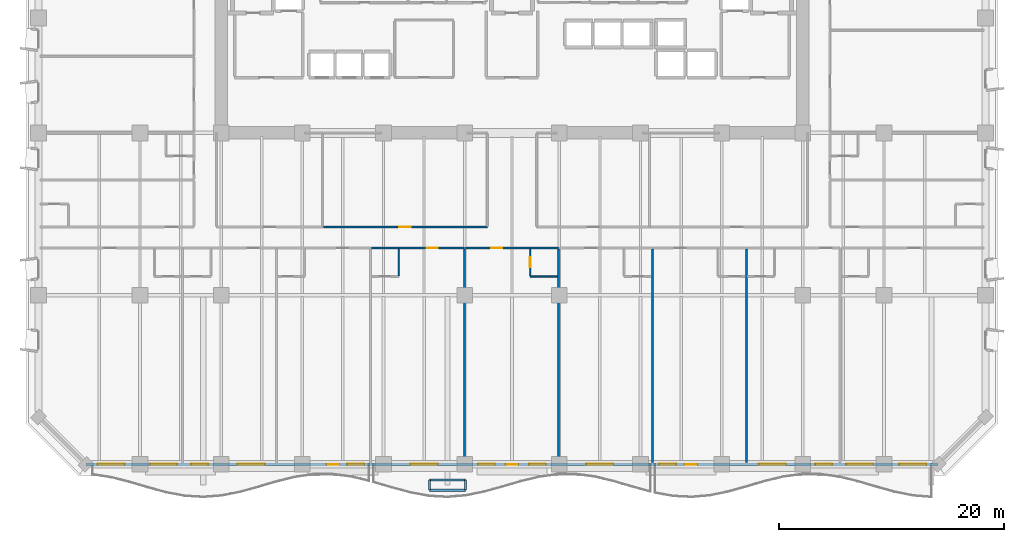
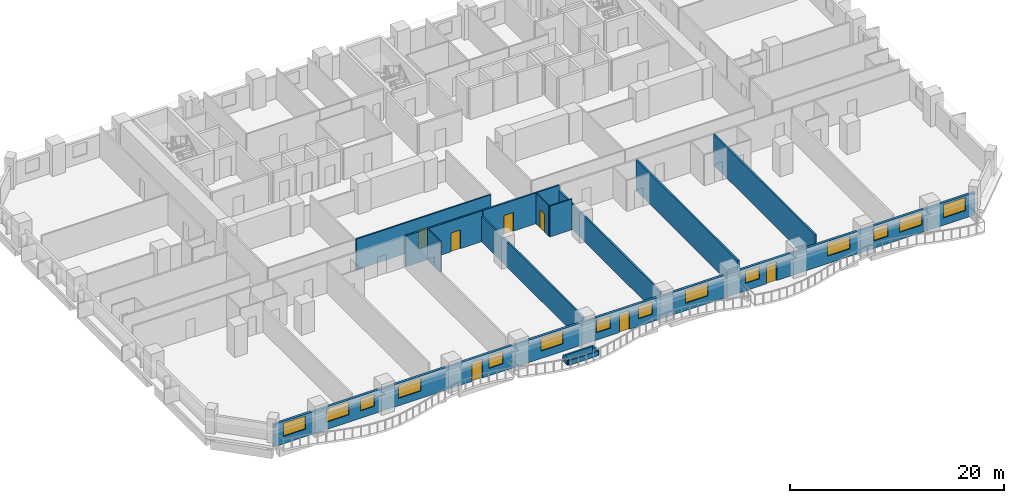
# One storey, part 5 of 15: 15 walls, 14 windows, 7 doors, 21 openings.
"""IFC4 building model written with IfcOpenShell, lengths in metres."""

from ifc_helpers import new_model, si_unit, direction, frame, frame_2d, origin, place, context, subcontext, project, spatial, rectangle, extrude, material, layer, layer_set, type_object, element, fill, save


model = new_model("IFC4")

# Units and contexts
model_context = context("Model", 3, precision=1e-05, world=origin(), true_north=direction((0.0, 1.0)))
body_context = subcontext(model_context, "Body", "Model", "MODEL_VIEW")
ifc_project = project(units=[si_unit("LENGTHUNIT", "METRE"), si_unit("AREAUNIT", "SQUARE_METRE"), si_unit("VOLUMEUNIT", "CUBIC_METRE"), si_unit("PLANEANGLEUNIT", "RADIAN"), si_unit("MASSUNIT", "GRAM", prefix="KILO")], contexts=[model_context])

# Site, building, storey
site_placement = place(None, origin())
site = spatial("IfcSite", under=ifc_project, at=site_placement, CompositionType="ELEMENT")
building_placement = place(site_placement, origin())
building = spatial("IfcBuilding", under=site, at=building_placement, Name="Kaelvorn Grand Hotel", CompositionType="ELEMENT")
storey_placement = place(building_placement, frame((0.0, 0.0, 72.64990234375)))
storey = spatial("IfcBuildingStorey", under=building, at=storey_placement, Name="L16", CompositionType="ELEMENT", Elevation=72.64990234375)

# Wall, openings, doors, windows
ifc_material_1 = material(Name="Concrete C40/50", Category="concrete")
ifc_layer_1 = layer(ifc_material_1, 0.260009765625)
ifc_layer_set_1 = layer_set([ifc_layer_1], Name="Concrete C40/50")
wall_type_1 = type_object("IfcWallType", Name="WL-EXT-260-C40", PredefinedType="SOLIDWALL", material=ifc_layer_set_1)
wall_1_placement = place(storey_placement, frame((4.199951171875, 0.0, 0.0), z_axis=(0.0, 0.0, 1.0), x_axis=(1.0, 0.0, 0.0)))
wall_1 = element("IfcWall", 1, at=wall_1_placement, inside=storey, type_object=wall_type_1, Name="L16 Exterior Architectural Concrete Wall 01", PredefinedType="SOLIDWALL", context=body_context, shape_type="SweptSolid", body=[
    extrude(rectangle(XDim=75.60009765625, YDim=0.260009765625, at=frame_2d((37.800048828125, 0.0))), origin(), (0.0, 0.0, 1.0), 2.56005859375),
])
opening_1_placement = place(wall_1_placement, frame((21.38330078125, 0.0, 0.0)))
opening_1 = element("IfcOpeningElement", 2, at=opening_1_placement, cuts=wall_1, Name="Opening DE2", PredefinedType="OPENING", context=body_context, shape_type="SweptSolid", body=[
    extrude(rectangle(XDim=1.10009765625, YDim=2.14990234375, at=frame_2d((0.550048828125, 1.074951171875))), frame((0.0, 0.14013671875, 0.0), z_axis=(0.0, -1.0, 0.0), x_axis=(1.0, 0.0, 0.0)), (0.0, 0.0, 1.0), 0.280029296875),
])
opening_2_placement = place(wall_1_placement, frame((37.25, 0.0, 0.0)))
opening_2 = element("IfcOpeningElement", 3, at=opening_2_placement, cuts=wall_1, Name="Opening DE2", PredefinedType="OPENING", context=body_context, shape_type="SweptSolid", body=[
    extrude(rectangle(XDim=1.10009765625, YDim=2.14990234375, at=frame_2d((0.550048828125, 1.074951171875))), frame((0.0, 0.14013671875, 0.0), z_axis=(0.0, -1.0, 0.0), x_axis=(1.0, 0.0, 0.0)), (0.0, 0.0, 1.0), 0.280029296875),
])
opening_3_placement = place(wall_1_placement, frame((53.11669921875, 0.0, 0.0)))
opening_3 = element("IfcOpeningElement", 4, at=opening_3_placement, cuts=wall_1, Name="Opening DE2", PredefinedType="OPENING", context=body_context, shape_type="SweptSolid", body=[
    extrude(rectangle(XDim=1.10009765625, YDim=2.14990234375, at=frame_2d((0.550048828125, 1.074951171875))), frame((0.0, 0.14013671875, 0.0), z_axis=(0.0, -1.0, 0.0), x_axis=(1.0, 0.0, 0.0)), (0.0, 0.0, 1.0), 0.280029296875),
])
opening_4_placement = place(wall_1_placement, frame((1.034912109375, 0.0, 0.85009765625)))
opening_4 = element("IfcOpeningElement", 5, at=opening_4_placement, cuts=wall_1, Name="Opening W6", PredefinedType="OPENING", context=body_context, shape_type="SweptSolid", body=[
    extrude(rectangle(XDim=2.39990234375, YDim=1.5, at=frame_2d((1.199951171875, 0.75))), frame((0.0, 0.14013671875, 0.0), z_axis=(0.0, -1.0, 0.0), x_axis=(1.0, 0.0, 0.0)), (0.0, 0.0, 1.0), 0.280029296875),
])
opening_5_placement = place(wall_1_placement, frame((5.69140625, 0.0, 0.85009765625)))
opening_5 = element("IfcOpeningElement", 6, at=opening_5_placement, cuts=wall_1, Name="Opening W6", PredefinedType="OPENING", context=body_context, shape_type="SweptSolid", body=[
    extrude(rectangle(XDim=2.39990234375, YDim=1.5, at=frame_2d((1.199951171875, 0.75))), frame((0.0, 0.14013671875, 0.0), z_axis=(0.0, -1.0, 0.0), x_axis=(1.0, 0.0, 0.0)), (0.0, 0.0, 1.0), 0.280029296875),
])
opening_6_placement = place(wall_1_placement, frame((9.341552734375, 0.0, 0.85009765625)))
opening_6 = element("IfcOpeningElement", 7, at=opening_6_placement, cuts=wall_1, Name="Opening W10", PredefinedType="OPENING", context=body_context, shape_type="SweptSolid", body=[
    extrude(rectangle(XDim=1.5, YDim=1.39990234375, at=frame_2d((0.75, 0.699951171875))), frame((0.0, 0.14013671875, 0.0), z_axis=(0.0, -1.0, 0.0), x_axis=(1.0, 0.0, 0.0)), (0.0, 0.0, 1.0), 0.280029296875),
])
opening_7_placement = place(wall_1_placement, frame((13.45849609375, 0.0, 0.85009765625)))
opening_7 = element("IfcOpeningElement", 8, at=opening_7_placement, cuts=wall_1, Name="Opening W6", PredefinedType="OPENING", context=body_context, shape_type="SweptSolid", body=[
    extrude(rectangle(XDim=2.39990234375, YDim=1.5, at=frame_2d((1.199951171875, 0.75))), frame((0.0, 0.14013671875, 0.0), z_axis=(0.0, -1.0, 0.0), x_axis=(1.0, 0.0, 0.0)), (0.0, 0.0, 1.0), 0.280029296875),
])
opening_8_placement = place(wall_1_placement, frame((23.20166015625, 0.0, 0.85009765625)))
opening_8 = element("IfcOpeningElement", 9, at=opening_8_placement, cuts=wall_1, Name="Opening W10", PredefinedType="OPENING", context=body_context, shape_type="SweptSolid", body=[
    extrude(rectangle(XDim=1.5, YDim=1.39990234375, at=frame_2d((0.75, 0.699951171875))), frame((0.0, 0.14013671875, 0.0), z_axis=(0.0, -1.0, 0.0), x_axis=(1.0, 0.0, 0.0)), (0.0, 0.0, 1.0), 0.280029296875),
])
opening_9_placement = place(wall_1_placement, frame((28.800048828125, 0.0, 0.85009765625)))
opening_9 = element("IfcOpeningElement", 10, at=opening_9_placement, cuts=wall_1, Name="Opening W6", PredefinedType="OPENING", context=body_context, shape_type="SweptSolid", body=[
    extrude(rectangle(XDim=2.39990234375, YDim=1.5, at=frame_2d((1.199951171875, 0.75))), frame((0.0, 0.14013671875, 0.0), z_axis=(0.0, -1.0, 0.0), x_axis=(1.0, 0.0, 0.0)), (0.0, 0.0, 1.0), 0.280029296875),
])
opening_10_placement = place(wall_1_placement, frame((34.7900390625, 0.0, 0.85009765625)))
opening_10 = element("IfcOpeningElement", 11, at=opening_10_placement, cuts=wall_1, Name="Opening W10", PredefinedType="OPENING", context=body_context, shape_type="SweptSolid", body=[
    extrude(rectangle(XDim=1.5, YDim=1.39990234375, at=frame_2d((0.75, 0.699951171875))), frame((0.0, 0.14013671875, 0.0), z_axis=(0.0, -1.0, 0.0), x_axis=(1.0, 0.0, 0.0)), (0.0, 0.0, 1.0), 0.280029296875),
])
opening_11_placement = place(wall_1_placement, frame((39.31005859375, 0.0, 0.85009765625)))
opening_11 = element("IfcOpeningElement", 12, at=opening_11_placement, cuts=wall_1, Name="Opening W10", PredefinedType="OPENING", context=body_context, shape_type="SweptSolid", body=[
    extrude(rectangle(XDim=1.5, YDim=1.39990234375, at=frame_2d((0.75, 0.699951171875))), frame((0.0, 0.14013671875, 0.0), z_axis=(0.0, -1.0, 0.0), x_axis=(1.0, 0.0, 0.0)), (0.0, 0.0, 1.0), 0.280029296875),
])
opening_12_placement = place(wall_1_placement, frame((44.39990234375, 0.0, 0.85009765625)))
opening_12 = element("IfcOpeningElement", 13, at=opening_12_placement, cuts=wall_1, Name="Opening W6", PredefinedType="OPENING", context=body_context, shape_type="SweptSolid", body=[
    extrude(rectangle(XDim=2.39990234375, YDim=1.5, at=frame_2d((1.199951171875, 0.75))), frame((0.0, 0.14013671875, 0.0), z_axis=(0.0, -1.0, 0.0), x_axis=(1.0, 0.0, 0.0)), (0.0, 0.0, 1.0), 0.280029296875),
])
opening_13_placement = place(wall_1_placement, frame((50.848388671875, 0.0, 0.85009765625)))
opening_13 = element("IfcOpeningElement", 14, at=opening_13_placement, cuts=wall_1, Name="Opening W10", PredefinedType="OPENING", context=body_context, shape_type="SweptSolid", body=[
    extrude(rectangle(XDim=1.5, YDim=1.39990234375, at=frame_2d((0.75, 0.699951171875))), frame((0.0, 0.14013671875, 0.0), z_axis=(0.0, -1.0, 0.0), x_axis=(1.0, 0.0, 0.0)), (0.0, 0.0, 1.0), 0.280029296875),
])
opening_14_placement = place(wall_1_placement, frame((59.69140625, 0.0, 0.85009765625)))
opening_14 = element("IfcOpeningElement", 15, at=opening_14_placement, cuts=wall_1, Name="Opening W6", PredefinedType="OPENING", context=body_context, shape_type="SweptSolid", body=[
    extrude(rectangle(XDim=2.39990234375, YDim=1.5, at=frame_2d((1.199951171875, 0.75))), frame((0.0, 0.14013671875, 0.0), z_axis=(0.0, -1.0, 0.0), x_axis=(1.0, 0.0, 0.0)), (0.0, 0.0, 1.0), 0.280029296875),
])
opening_15_placement = place(wall_1_placement, frame((64.7080078125, 0.0, 0.85009765625)))
opening_15 = element("IfcOpeningElement", 16, at=opening_15_placement, cuts=wall_1, Name="Opening W10", PredefinedType="OPENING", context=body_context, shape_type="SweptSolid", body=[
    extrude(rectangle(XDim=1.5, YDim=1.39990234375, at=frame_2d((0.75, 0.699951171875))), frame((0.0, 0.14013671875, 0.0), z_axis=(0.0, -1.0, 0.0), x_axis=(1.0, 0.0, 0.0)), (0.0, 0.0, 1.0), 0.280029296875),
])
opening_16_placement = place(wall_1_placement, frame((67.4580078125, 0.0, 0.85009765625)))
opening_16 = element("IfcOpeningElement", 17, at=opening_16_placement, cuts=wall_1, Name="Opening W6", PredefinedType="OPENING", context=body_context, shape_type="SweptSolid", body=[
    extrude(rectangle(XDim=2.39990234375, YDim=1.5, at=frame_2d((1.199951171875, 0.75))), frame((0.0, 0.14013671875, 0.0), z_axis=(0.0, -1.0, 0.0), x_axis=(1.0, 0.0, 0.0)), (0.0, 0.0, 1.0), 0.280029296875),
])
opening_17_placement = place(wall_1_placement, frame((72.1650390625, 0.0, 0.85009765625)))
opening_17 = element("IfcOpeningElement", 18, at=opening_17_placement, cuts=wall_1, Name="Opening W6", PredefinedType="OPENING", context=body_context, shape_type="SweptSolid", body=[
    extrude(rectangle(XDim=2.39990234375, YDim=1.5, at=frame_2d((1.199951171875, 0.75))), frame((0.0, 0.14013671875, 0.0), z_axis=(0.0, -1.0, 0.0), x_axis=(1.0, 0.0, 0.0)), (0.0, 0.0, 1.0), 0.280029296875),
])
ifc_material_2 = material(Name="Anodised Aluminium", Category="aluminium")
door_type_1 = type_object("IfcDoorType", Name="DR-EXT-BALC-1100x2150", OperationType="NOTDEFINED", PredefinedType="DOOR", material=ifc_material_2)
door_1_placement = place(opening_1_placement, origin())
door_1 = element("IfcDoor", 19, at=door_1_placement, inside=storey, type_object=door_type_1, Name="L16 Scalloped Balcony Glazed Door DE2-1", OperationType="SINGLE_SWING_LEFT", OverallHeight=2.14990234375, OverallWidth=1.10009765625, PredefinedType="DOOR", context=body_context, shape_type="SweptSolid", body=[
    extrude(rectangle(XDim=1.10009765625, YDim=2.14990234375, at=frame_2d((0.550048828125, 1.074951171875))), frame((0.0, 0.02490234375, 0.0), z_axis=(0.0, -1.0, 0.0), x_axis=(1.0, 0.0, 0.0)), (0.0, 0.0, 1.0), 0.050048828125),
])
fill(opening_1, door_1)
door_2_placement = place(opening_2_placement, origin())
door_2 = element("IfcDoor", 20, at=door_2_placement, inside=storey, type_object=door_type_1, Name="L16 Scalloped Balcony Glazed Door DE2-2", OperationType="SINGLE_SWING_RIGHT", OverallHeight=2.14990234375, OverallWidth=1.10009765625, PredefinedType="DOOR", context=body_context, shape_type="SweptSolid", body=[
    extrude(rectangle(XDim=1.10009765625, YDim=2.14990234375, at=frame_2d((0.550048828125, 1.074951171875))), frame((0.0, 0.02490234375, 0.0), z_axis=(0.0, -1.0, 0.0), x_axis=(1.0, 0.0, 0.0)), (0.0, 0.0, 1.0), 0.050048828125),
])
fill(opening_2, door_2)
door_3_placement = place(opening_3_placement, origin())
door_3 = element("IfcDoor", 21, at=door_3_placement, inside=storey, type_object=door_type_1, Name="L16 Scalloped Balcony Glazed Door DE2-3", OperationType="SINGLE_SWING_LEFT", OverallHeight=2.14990234375, OverallWidth=1.10009765625, PredefinedType="DOOR", context=body_context, shape_type="SweptSolid", body=[
    extrude(rectangle(XDim=1.10009765625, YDim=2.14990234375, at=frame_2d((0.550048828125, 1.074951171875))), frame((0.0, 0.02490234375, 0.0), z_axis=(0.0, -1.0, 0.0), x_axis=(1.0, 0.0, 0.0)), (0.0, 0.0, 1.0), 0.050048828125),
])
fill(opening_3, door_3)
ifc_material_3 = material(Name="Laminated Low-E Glass", Category="glass")
window_type_1 = type_object("IfcWindowType", Name="WIN-COR-1500x1400", PartitioningType="SINGLE_PANEL", PredefinedType="WINDOW", material=ifc_material_3)
window_1_placement = place(opening_6_placement, origin())
window_1 = element("IfcWindow", 22, at=window_1_placement, inside=storey, type_object=window_type_1, Name="L16 South Guestroom Ribbon Window SR03", OverallHeight=1.39990234375, OverallWidth=1.5, PartitioningType="SINGLE_PANEL", PredefinedType="WINDOW", context=body_context, shape_type="SweptSolid", body=[
    extrude(rectangle(XDim=1.5, YDim=1.39990234375, at=frame_2d((0.75, 0.699951171875))), frame((0.0, 0.030029296875, 0.0), z_axis=(0.0, -1.0, 0.0), x_axis=(1.0, 0.0, 0.0)), (0.0, 0.0, 1.0), 0.06005859375),
])
fill(opening_6, window_1)
window_2_placement = place(opening_8_placement, origin())
window_2 = element("IfcWindow", 23, at=window_2_placement, inside=storey, type_object=window_type_1, Name="L16 South Guestroom Ribbon Window SR05", OverallHeight=1.39990234375, OverallWidth=1.5, PartitioningType="SINGLE_PANEL", PredefinedType="WINDOW", context=body_context, shape_type="SweptSolid", body=[
    extrude(rectangle(XDim=1.5, YDim=1.39990234375, at=frame_2d((0.75, 0.699951171875))), frame((0.0, 0.030029296875, 0.0), z_axis=(0.0, -1.0, 0.0), x_axis=(1.0, 0.0, 0.0)), (0.0, 0.0, 1.0), 0.06005859375),
])
fill(opening_8, window_2)
window_3_placement = place(opening_10_placement, origin())
window_3 = element("IfcWindow", 24, at=window_3_placement, inside=storey, type_object=window_type_1, Name="L16 South Guestroom Ribbon Window SR07", OverallHeight=1.39990234375, OverallWidth=1.5, PartitioningType="SINGLE_PANEL", PredefinedType="WINDOW", context=body_context, shape_type="SweptSolid", body=[
    extrude(rectangle(XDim=1.5, YDim=1.39990234375, at=frame_2d((0.75, 0.699951171875))), frame((0.0, 0.030029296875, 0.0), z_axis=(0.0, -1.0, 0.0), x_axis=(1.0, 0.0, 0.0)), (0.0, 0.0, 1.0), 0.06005859375),
])
fill(opening_10, window_3)
window_4_placement = place(opening_11_placement, origin())
window_4 = element("IfcWindow", 25, at=window_4_placement, inside=storey, type_object=window_type_1, Name="L16 South Guestroom Ribbon Window SR08", OverallHeight=1.39990234375, OverallWidth=1.5, PartitioningType="SINGLE_PANEL", PredefinedType="WINDOW", context=body_context, shape_type="SweptSolid", body=[
    extrude(rectangle(XDim=1.5, YDim=1.39990234375, at=frame_2d((0.75, 0.699951171875))), frame((0.0, 0.030029296875, 0.0), z_axis=(0.0, -1.0, 0.0), x_axis=(1.0, 0.0, 0.0)), (0.0, 0.0, 1.0), 0.06005859375),
])
fill(opening_11, window_4)
window_5_placement = place(opening_13_placement, origin())
window_5 = element("IfcWindow", 26, at=window_5_placement, inside=storey, type_object=window_type_1, Name="L16 South Guestroom Ribbon Window SR10", OverallHeight=1.39990234375, OverallWidth=1.5, PartitioningType="SINGLE_PANEL", PredefinedType="WINDOW", context=body_context, shape_type="SweptSolid", body=[
    extrude(rectangle(XDim=1.5, YDim=1.39990234375, at=frame_2d((0.75, 0.699951171875))), frame((0.0, 0.030029296875, 0.0), z_axis=(0.0, -1.0, 0.0), x_axis=(1.0, 0.0, 0.0)), (0.0, 0.0, 1.0), 0.06005859375),
])
fill(opening_13, window_5)
window_6_placement = place(opening_15_placement, origin())
window_6 = element("IfcWindow", 27, at=window_6_placement, inside=storey, type_object=window_type_1, Name="L16 South Guestroom Ribbon Window SR12", OverallHeight=1.39990234375, OverallWidth=1.5, PartitioningType="SINGLE_PANEL", PredefinedType="WINDOW", context=body_context, shape_type="SweptSolid", body=[
    extrude(rectangle(XDim=1.5, YDim=1.39990234375, at=frame_2d((0.75, 0.699951171875))), frame((0.0, 0.030029296875, 0.0), z_axis=(0.0, -1.0, 0.0), x_axis=(1.0, 0.0, 0.0)), (0.0, 0.0, 1.0), 0.06005859375),
])
fill(opening_15, window_6)
window_type_2 = type_object("IfcWindowType", Name="WIN-NTH-2400x1500", PartitioningType="SINGLE_PANEL", PredefinedType="WINDOW", material=ifc_material_3)
window_7_placement = place(opening_4_placement, origin())
window_7 = element("IfcWindow", 28, at=window_7_placement, inside=storey, type_object=window_type_2, Name="L16 South Guestroom Ribbon Window SR01", OverallHeight=1.5, OverallWidth=2.39990234375, PartitioningType="SINGLE_PANEL", PredefinedType="WINDOW", context=body_context, shape_type="SweptSolid", body=[
    extrude(rectangle(XDim=2.39990234375, YDim=1.5, at=frame_2d((1.199951171875, 0.75))), frame((0.0, 0.030029296875, 0.0), z_axis=(0.0, -1.0, 0.0), x_axis=(1.0, 0.0, 0.0)), (0.0, 0.0, 1.0), 0.06005859375),
])
fill(opening_4, window_7)
window_8_placement = place(opening_5_placement, origin())
window_8 = element("IfcWindow", 29, at=window_8_placement, inside=storey, type_object=window_type_2, Name="L16 South Guestroom Ribbon Window SR02", OverallHeight=1.5, OverallWidth=2.39990234375, PartitioningType="SINGLE_PANEL", PredefinedType="WINDOW", context=body_context, shape_type="SweptSolid", body=[
    extrude(rectangle(XDim=2.39990234375, YDim=1.5, at=frame_2d((1.199951171875, 0.75))), frame((0.0, 0.030029296875, 0.0), z_axis=(0.0, -1.0, 0.0), x_axis=(1.0, 0.0, 0.0)), (0.0, 0.0, 1.0), 0.06005859375),
])
fill(opening_5, window_8)
window_9_placement = place(opening_7_placement, origin())
window_9 = element("IfcWindow", 30, at=window_9_placement, inside=storey, type_object=window_type_2, Name="L16 South Guestroom Ribbon Window SR04", OverallHeight=1.5, OverallWidth=2.39990234375, PartitioningType="SINGLE_PANEL", PredefinedType="WINDOW", context=body_context, shape_type="SweptSolid", body=[
    extrude(rectangle(XDim=2.39990234375, YDim=1.5, at=frame_2d((1.199951171875, 0.75))), frame((0.0, 0.030029296875, 0.0), z_axis=(0.0, -1.0, 0.0), x_axis=(1.0, 0.0, 0.0)), (0.0, 0.0, 1.0), 0.06005859375),
])
fill(opening_7, window_9)
window_10_placement = place(opening_9_placement, origin())
window_10 = element("IfcWindow", 31, at=window_10_placement, inside=storey, type_object=window_type_2, Name="L16 South Guestroom Ribbon Window SR06", OverallHeight=1.5, OverallWidth=2.39990234375, PartitioningType="SINGLE_PANEL", PredefinedType="WINDOW", context=body_context, shape_type="SweptSolid", body=[
    extrude(rectangle(XDim=2.39990234375, YDim=1.5, at=frame_2d((1.199951171875, 0.75))), frame((0.0, 0.030029296875, 0.0), z_axis=(0.0, -1.0, 0.0), x_axis=(1.0, 0.0, 0.0)), (0.0, 0.0, 1.0), 0.06005859375),
])
fill(opening_9, window_10)
window_11_placement = place(opening_12_placement, origin())
window_11 = element("IfcWindow", 32, at=window_11_placement, inside=storey, type_object=window_type_2, Name="L16 South Guestroom Ribbon Window SR09", OverallHeight=1.5, OverallWidth=2.39990234375, PartitioningType="SINGLE_PANEL", PredefinedType="WINDOW", context=body_context, shape_type="SweptSolid", body=[
    extrude(rectangle(XDim=2.39990234375, YDim=1.5, at=frame_2d((1.199951171875, 0.75))), frame((0.0, 0.030029296875, 0.0), z_axis=(0.0, -1.0, 0.0), x_axis=(1.0, 0.0, 0.0)), (0.0, 0.0, 1.0), 0.06005859375),
])
fill(opening_12, window_11)
window_12_placement = place(opening_14_placement, origin())
window_12 = element("IfcWindow", 33, at=window_12_placement, inside=storey, type_object=window_type_2, Name="L16 South Guestroom Ribbon Window SR11", OverallHeight=1.5, OverallWidth=2.39990234375, PartitioningType="SINGLE_PANEL", PredefinedType="WINDOW", context=body_context, shape_type="SweptSolid", body=[
    extrude(rectangle(XDim=2.39990234375, YDim=1.5, at=frame_2d((1.199951171875, 0.75))), frame((0.0, 0.030029296875, 0.0), z_axis=(0.0, -1.0, 0.0), x_axis=(1.0, 0.0, 0.0)), (0.0, 0.0, 1.0), 0.06005859375),
])
fill(opening_14, window_12)
window_13_placement = place(opening_16_placement, origin())
window_13 = element("IfcWindow", 34, at=window_13_placement, inside=storey, type_object=window_type_2, Name="L16 South Guestroom Ribbon Window SR13", OverallHeight=1.5, OverallWidth=2.39990234375, PartitioningType="SINGLE_PANEL", PredefinedType="WINDOW", context=body_context, shape_type="SweptSolid", body=[
    extrude(rectangle(XDim=2.39990234375, YDim=1.5, at=frame_2d((1.199951171875, 0.75))), frame((0.0, 0.030029296875, 0.0), z_axis=(0.0, -1.0, 0.0), x_axis=(1.0, 0.0, 0.0)), (0.0, 0.0, 1.0), 0.06005859375),
])
fill(opening_16, window_13)
window_14_placement = place(opening_17_placement, origin())
window_14 = element("IfcWindow", 35, at=window_14_placement, inside=storey, type_object=window_type_2, Name="L16 South Guestroom Ribbon Window SR14", OverallHeight=1.5, OverallWidth=2.39990234375, PartitioningType="SINGLE_PANEL", PredefinedType="WINDOW", context=body_context, shape_type="SweptSolid", body=[
    extrude(rectangle(XDim=2.39990234375, YDim=1.5, at=frame_2d((1.199951171875, 0.75))), frame((0.0, 0.030029296875, 0.0), z_axis=(0.0, -1.0, 0.0), x_axis=(1.0, 0.0, 0.0)), (0.0, 0.0, 1.0), 0.06005859375),
])
fill(opening_17, window_14)

# Walls
ifc_material_4 = material(Name="Moisture-Resistant Tile & Stud Board")
ifc_layer_2 = layer(ifc_material_4, 0.125)
ifc_layer_set_2 = layer_set([ifc_layer_2], Name="Moisture-Resistant Tile & Stud Board")
wall_type_2 = type_object("IfcWallType", Name="WL-PART-125-WET", PredefinedType="PARTITIONING", material=ifc_layer_set_2)
wall_2_placement = place(storey_placement, frame((31.949951171875, 16.717529296875, 0.0), z_axis=(0.0, 0.0, 1.0), x_axis=(0.0, 1.0, 0.0)))
element("IfcWall", 36, at=wall_2_placement, inside=storey, type_object=wall_type_2, Name="L16 En-suite Bathroom L16-04 E Partition", PredefinedType="PARTITIONING", context=body_context, shape_type="SweptSolid", body=[
    extrude(rectangle(XDim=2.387451171875, YDim=0.125, at=frame_2d((1.19384765625, 0.0))), origin(), (0.0, 0.0, 1.0), 3.510009765625),
])
wall_3_placement = place(storey_placement, frame((43.616455078125, 16.64990234375, 0.0), z_axis=(0.0, 0.0, 1.0), x_axis=(1.0, 0.0, 0.0)))
element("IfcWall", 37, at=wall_3_placement, inside=storey, type_object=wall_type_2, Name="L16 En-suite Bathroom L16-05 S Partition", PredefinedType="PARTITIONING", context=body_context, shape_type="SweptSolid", body=[
    extrude(rectangle(XDim=2.405029296875, YDim=0.125, at=frame_2d((1.20263671875, 0.0))), origin(), (0.0, 0.0, 1.0), 3.510009765625),
])

# Wall, opening, door
wall_4_placement = place(storey_placement, frame((43.616455078125, 16.717529296875, 0.0), z_axis=(0.0, 0.0, 1.0), x_axis=(0.0, 1.0, 0.0)))
wall_4 = element("IfcWall", 38, at=wall_4_placement, inside=storey, type_object=wall_type_2, Name="L16 En-suite Bathroom L16-05 W Partition", PredefinedType="PARTITIONING", context=body_context, shape_type="SweptSolid", body=[
    extrude(rectangle(XDim=2.387451171875, YDim=0.125, at=frame_2d((1.19384765625, 0.0))), origin(), (0.0, 0.0, 1.0), 3.510009765625),
])
opening_18_placement = place(wall_4_placement, frame((0.757568359375, 0.0, 0.0)))
opening_18 = element("IfcOpeningElement", 39, at=opening_18_placement, cuts=wall_4, Name="Opening DI4", PredefinedType="OPENING", context=body_context, shape_type="SweptSolid", body=[
    extrude(rectangle(XDim=0.89990234375, YDim=2.10009765625, at=frame_2d((0.449951171875, 1.050048828125))), frame((0.0, 0.072509765625, 0.0), z_axis=(0.0, -1.0, 0.0), x_axis=(1.0, 0.0, 0.0)), (0.0, 0.0, 1.0), 0.14501953125),
])
ifc_material_5 = material(Name="Timber Veneer Leaf", Category="wood")
door_type_2 = type_object("IfcDoorType", Name="DR-INT-BATH-900x2100", OperationType="NOTDEFINED", PredefinedType="DOOR", material=ifc_material_5)
door_4_placement = place(opening_18_placement, origin())
door_4 = element("IfcDoor", 40, at=door_4_placement, inside=storey, type_object=door_type_2, Name="L16 En-suite Bathroom L16-05 Door", OperationType="SINGLE_SWING_RIGHT", OverallHeight=2.10009765625, OverallWidth=0.89990234375, PredefinedType="DOOR", context=body_context, shape_type="SweptSolid", body=[
    extrude(rectangle(XDim=0.89990234375, YDim=2.10009765625, at=frame_2d((0.449951171875, 1.050048828125))), frame((0.0, 0.02490234375, 0.0), z_axis=(0.0, -1.0, 0.0), x_axis=(1.0, 0.0, 0.0)), (0.0, 0.0, 1.0), 0.050048828125),
])
fill(opening_18, door_4)

ifc_material_6 = material(Name="Acoustic Gypsum & Stud Partition")
ifc_layer_3 = layer(ifc_material_6, 0.14990234375)
ifc_layer_set_3 = layer_set([ifc_layer_3], Name="Acoustic Gypsum & Stud Partition")
wall_type_3 = type_object("IfcWallType", Name="WL-PART-150-EI60", PredefinedType="PARTITIONING", material=ifc_layer_set_3)
wall_5_placement = place(storey_placement, frame((25.280029296875, 21.050048828125, 0.0), z_axis=(0.0, 0.0, 1.0), x_axis=(1.0, 0.0, 0.0)))
wall_5 = element("IfcWall", 41, at=wall_5_placement, inside=storey, type_object=wall_type_3, Name="L16 Sommelier Wine Bar S Partition", PredefinedType="PARTITIONING", context=body_context, shape_type="SweptSolid", body=[
    extrude(rectangle(XDim=14.52001953125, YDim=0.14990234375, at=frame_2d((7.260009765625, 0.0))), origin(), (0.0, 0.0, 1.0), 3.510009765625),
])
opening_19_placement = place(wall_5_placement, frame((6.719970703125, 0.0, 0.0)))
opening_19 = element("IfcOpeningElement", 42, at=opening_19_placement, cuts=wall_5, Name="Opening DI3", PredefinedType="OPENING", context=body_context, shape_type="SweptSolid", body=[
    extrude(rectangle(XDim=1.0, YDim=2.14990234375, at=frame_2d((0.5, 1.074951171875))), frame((0.0, 0.0849609375, 0.0), z_axis=(0.0, -1.0, 0.0), x_axis=(1.0, 0.0, 0.0)), (0.0, 0.0, 1.0), 0.169921875),
])
ifc_material_7 = material(Name="Timber Veneer Fire Leaf", Category="wood")
door_type_3 = type_object("IfcDoorType", Name="DR-INT-GUEST-1000x2150", OperationType="NOTDEFINED", PredefinedType="DOOR", material=ifc_material_7)
door_5_placement = place(opening_19_placement, origin())
door_5 = element("IfcDoor", 43, at=door_5_placement, inside=storey, type_object=door_type_3, Name="L16 Sommelier Wine Bar Door", OperationType="SINGLE_SWING_RIGHT", OverallHeight=2.14990234375, OverallWidth=1.0, PredefinedType="DOOR", context=body_context, shape_type="SweptSolid", body=[
    extrude(rectangle(XDim=1.0, YDim=2.14990234375, at=frame_2d((0.5, 1.074951171875))), frame((0.0, 0.02490234375, 0.0), z_axis=(0.0, -1.0, 0.0), x_axis=(1.0, 0.0, 0.0)), (0.0, 0.0, 1.0), 0.050048828125),
])
fill(opening_19, door_5)

ifc_layer_4 = layer(ifc_material_6, 0.179931640625)
ifc_layer_set_4 = layer_set([ifc_layer_4], Name="Acoustic Gypsum & Stud Partition")
wall_type_4 = type_object("IfcWallType", Name="WL-PART-180-EI60", PredefinedType="PARTITIONING", material=ifc_layer_set_4)
wall_6_placement = place(storey_placement, frame((29.544921875, 19.199951171875, 0.0), z_axis=(0.0, 0.0, 1.0), x_axis=(1.0, 0.0, 0.0)))
wall_6 = element("IfcWall", 44, at=wall_6_placement, inside=storey, type_object=wall_type_4, Name="L16 Deluxe Panoramic Suite L16-04 N Partition", PredefinedType="PARTITIONING", context=body_context, shape_type="SweptSolid", body=[
    extrude(rectangle(XDim=8.23828125, YDim=0.179931640625, at=frame_2d((4.119140625, 0.0))), origin(), (0.0, 0.0, 1.0), 3.510009765625),
])
opening_20_placement = place(wall_6_placement, frame((4.89013671875, 0.0, 0.0)))
opening_20 = element("IfcOpeningElement", 45, at=opening_20_placement, cuts=wall_6, Name="Opening DI3", PredefinedType="OPENING", context=body_context, shape_type="SweptSolid", body=[
    extrude(rectangle(XDim=1.0, YDim=2.14990234375, at=frame_2d((0.5, 1.074951171875))), frame((0.0, 0.10009765625, 0.0), z_axis=(0.0, -1.0, 0.0), x_axis=(1.0, 0.0, 0.0)), (0.0, 0.0, 1.0), 0.199951171875),
])
door_6_placement = place(opening_20_placement, origin())
door_6 = element("IfcDoor", 46, at=door_6_placement, inside=storey, type_object=door_type_3, Name="L16 Deluxe Panoramic Suite L16-04 Door", OperationType="SINGLE_SWING_LEFT", OverallHeight=2.14990234375, OverallWidth=1.0, PredefinedType="DOOR", context=body_context, shape_type="SweptSolid", body=[
    extrude(rectangle(XDim=1.0, YDim=2.14990234375, at=frame_2d((0.5, 1.074951171875))), frame((0.0, 0.02490234375, 0.0), z_axis=(0.0, -1.0, 0.0), x_axis=(1.0, 0.0, 0.0)), (0.0, 0.0, 1.0), 0.050048828125),
])
fill(opening_20, door_6)

# Wall
wall_7_placement = place(storey_placement, frame((37.783203125, 0.14990234375, 0.0), z_axis=(0.0, 0.0, 1.0), x_axis=(0.0, 1.0, 0.0)))
element("IfcWall", 47, at=wall_7_placement, inside=storey, type_object=wall_type_4, Name="L16 Deluxe Panoramic Suite L16-04 E Partition", PredefinedType="PARTITIONING", context=body_context, shape_type="SweptSolid", body=[
    extrude(rectangle(XDim=18.955078125, YDim=0.179931640625, at=frame_2d((9.4775390625, 0.0))), origin(), (0.0, 0.0, 1.0), 2.89794921875),
])

# Wall, opening, door
wall_8_placement = place(storey_placement, frame((37.878173828125, 19.199951171875, 0.0), z_axis=(0.0, 0.0, 1.0), x_axis=(1.0, 0.0, 0.0)))
wall_8 = element("IfcWall", 48, at=wall_8_placement, inside=storey, type_object=wall_type_4, Name="L16 Deluxe Panoramic Suite L16-05 N Partition", PredefinedType="PARTITIONING", context=body_context, shape_type="SweptSolid", body=[
    extrude(rectangle(XDim=8.23828125, YDim=0.179931640625, at=frame_2d((4.119140625, 0.0))), origin(), (0.0, 0.0, 1.0), 3.510009765625),
])
opening_21_placement = place(wall_8_placement, frame((2.27001953125, 0.0, 0.0)))
opening_21 = element("IfcOpeningElement", 49, at=opening_21_placement, cuts=wall_8, Name="Opening DI3", PredefinedType="OPENING", context=body_context, shape_type="SweptSolid", body=[
    extrude(rectangle(XDim=1.0, YDim=2.14990234375, at=frame_2d((0.5, 1.074951171875))), frame((0.0, 0.10009765625, 0.0), z_axis=(0.0, -1.0, 0.0), x_axis=(1.0, 0.0, 0.0)), (0.0, 0.0, 1.0), 0.199951171875),
])
door_7_placement = place(opening_21_placement, origin())
door_7 = element("IfcDoor", 50, at=door_7_placement, inside=storey, type_object=door_type_3, Name="L16 Deluxe Panoramic Suite L16-05 Door", OperationType="SINGLE_SWING_LEFT", OverallHeight=2.14990234375, OverallWidth=1.0, PredefinedType="DOOR", context=body_context, shape_type="SweptSolid", body=[
    extrude(rectangle(XDim=1.0, YDim=2.14990234375, at=frame_2d((0.5, 1.074951171875))), frame((0.0, 0.02490234375, 0.0), z_axis=(0.0, -1.0, 0.0), x_axis=(1.0, 0.0, 0.0)), (0.0, 0.0, 1.0), 0.050048828125),
])
fill(opening_21, door_7)

# Walls
wall_9_placement = place(storey_placement, frame((46.116455078125, 0.14990234375, 0.0), z_axis=(0.0, 0.0, 1.0), x_axis=(0.0, 1.0, 0.0)))
element("IfcWall", 51, at=wall_9_placement, inside=storey, type_object=wall_type_4, Name="L16 Deluxe Panoramic Suite L16-05 E Partition", PredefinedType="PARTITIONING", context=body_context, shape_type="SweptSolid", body=[
    extrude(rectangle(XDim=18.955078125, YDim=0.179931640625, at=frame_2d((9.4775390625, 0.0))), origin(), (0.0, 0.0, 1.0), 2.89794921875),
])
for number, where, z_axis, x_axis, name in (
    (52, (54.44970703125, 0.14990234375, 0.0), (0.0, 0.0, 1.0), (0.0, 1.0, 0.0), "L16 Deluxe Panoramic Suite L16-06 E Partition"),
    (53, (62.782958984375, 0.14990234375, 0.0), (0.0, 0.0, 1.0), (0.0, 1.0, 0.0), "L16 Deluxe Panoramic Suite L16-07 E Partition"),
):
    element("IfcWall", number, at=place(storey_placement, frame(where, z_axis=z_axis, x_axis=x_axis)), inside=storey, type_object=wall_type_4, Name=name, PredefinedType="PARTITIONING", context=body_context, shape_type="SweptSolid", body=[
        extrude(rectangle(XDim=18.955078125, YDim=0.179931640625, at=frame_2d((9.4775390625, 0.0))), origin(), (0.0, 0.0, 1.0), 3.510009765625),
    ])
ifc_layer_5 = layer(ifc_material_1, 0.199951171875)
ifc_layer_set_5 = layer_set([ifc_layer_5], Name="Concrete C40/50")
wall_type_5 = type_object("IfcWallType", Name="WL-TREE-PLANTER-200", PredefinedType="PARAPET", material=ifc_layer_set_5)
wall_10_placement = place(storey_placement, frame((34.675537109375, -2.300048828125, 0.0), z_axis=(0.0, 0.0, 1.0), x_axis=(1.0, 0.0, 0.0)))
element("IfcWall", 54, at=wall_10_placement, inside=storey, type_object=wall_type_5, Name="L16 Planted Balcony Structural TREE PLANTER Kerb 1-S", PredefinedType="PARAPET", context=body_context, shape_type="SweptSolid", body=[
    extrude(rectangle(XDim=3.199951171875, YDim=0.199951171875, at=frame_2d((1.60009765625, 0.0))), origin(), (0.0, 0.0, 1.0), 0.550048828125),
])
wall_11_placement = place(storey_placement, frame((37.87548828125, -2.300048828125, 0.0), z_axis=(0.0, 0.0, 1.0), x_axis=(0.0, 1.0, 0.0)))
element("IfcWall", 55, at=wall_11_placement, inside=storey, type_object=wall_type_5, Name="L16 Planted Balcony Structural TREE PLANTER Kerb 1-E", PredefinedType="PARAPET", context=body_context, shape_type="SweptSolid", body=[
    extrude(rectangle(XDim=0.900146484375, YDim=0.199951171875, at=frame_2d((0.4501953125, 0.0))), origin(), (0.0, 0.0, 1.0), 0.550048828125),
])
wall_12_placement = place(storey_placement, frame((37.87548828125, -1.39990234375, 0.0), z_axis=(0.0, 0.0, 1.0), x_axis=(-1.0, 0.0, 0.0)))
element("IfcWall", 56, at=wall_12_placement, inside=storey, type_object=wall_type_5, Name="L16 Planted Balcony Structural TREE PLANTER Kerb 1-N", PredefinedType="PARAPET", context=body_context, shape_type="SweptSolid", body=[
    extrude(rectangle(XDim=3.199951171875, YDim=0.199951171875, at=frame_2d((1.60009765625, 0.0))), origin(), (0.0, 0.0, 1.0), 0.550048828125),
])
wall_13_placement = place(storey_placement, frame((34.675537109375, -1.39990234375, 0.0), z_axis=(0.0, 0.0, 1.0), x_axis=(0.0, -1.0, 0.0)))
element("IfcWall", 57, at=wall_13_placement, inside=storey, type_object=wall_type_5, Name="L16 Planted Balcony Structural TREE PLANTER Kerb 1-W", PredefinedType="PARAPET", context=body_context, shape_type="SweptSolid", body=[
    extrude(rectangle(XDim=0.900146484375, YDim=0.199951171875, at=frame_2d((0.4501953125, 0.0))), origin(), (0.0, 0.0, 1.0), 0.550048828125),
])

save(model, "model.ifc")
